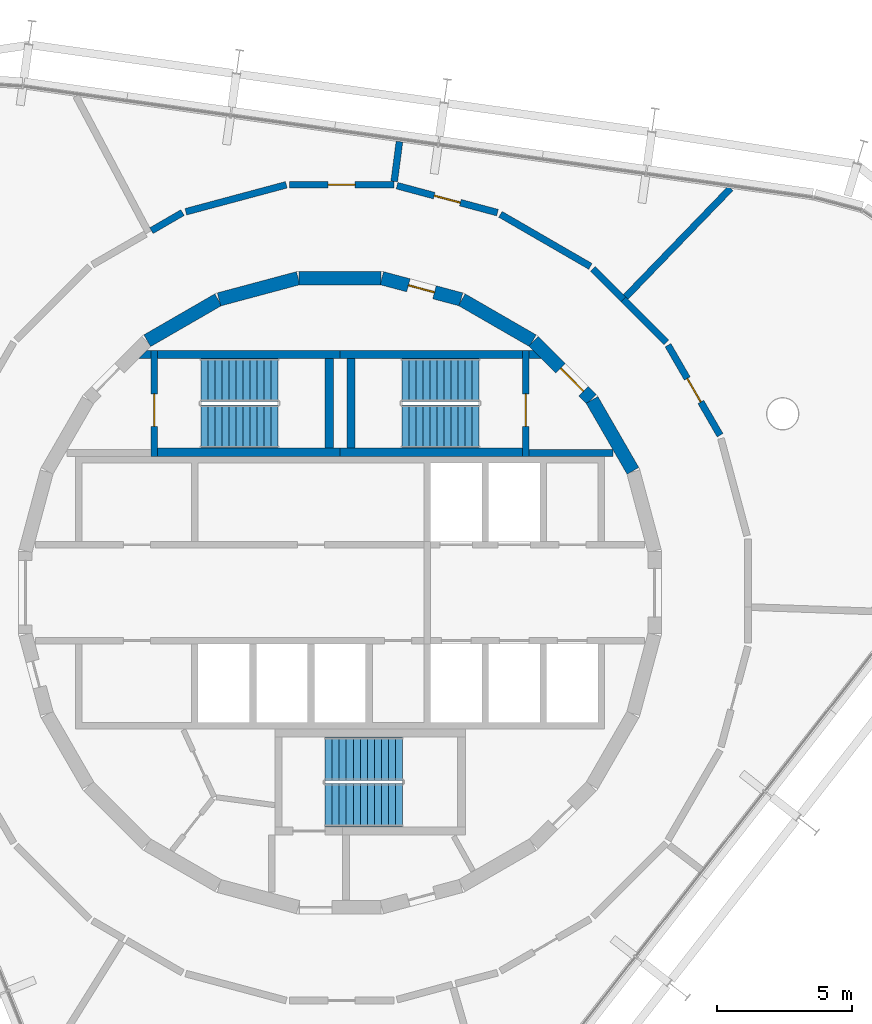
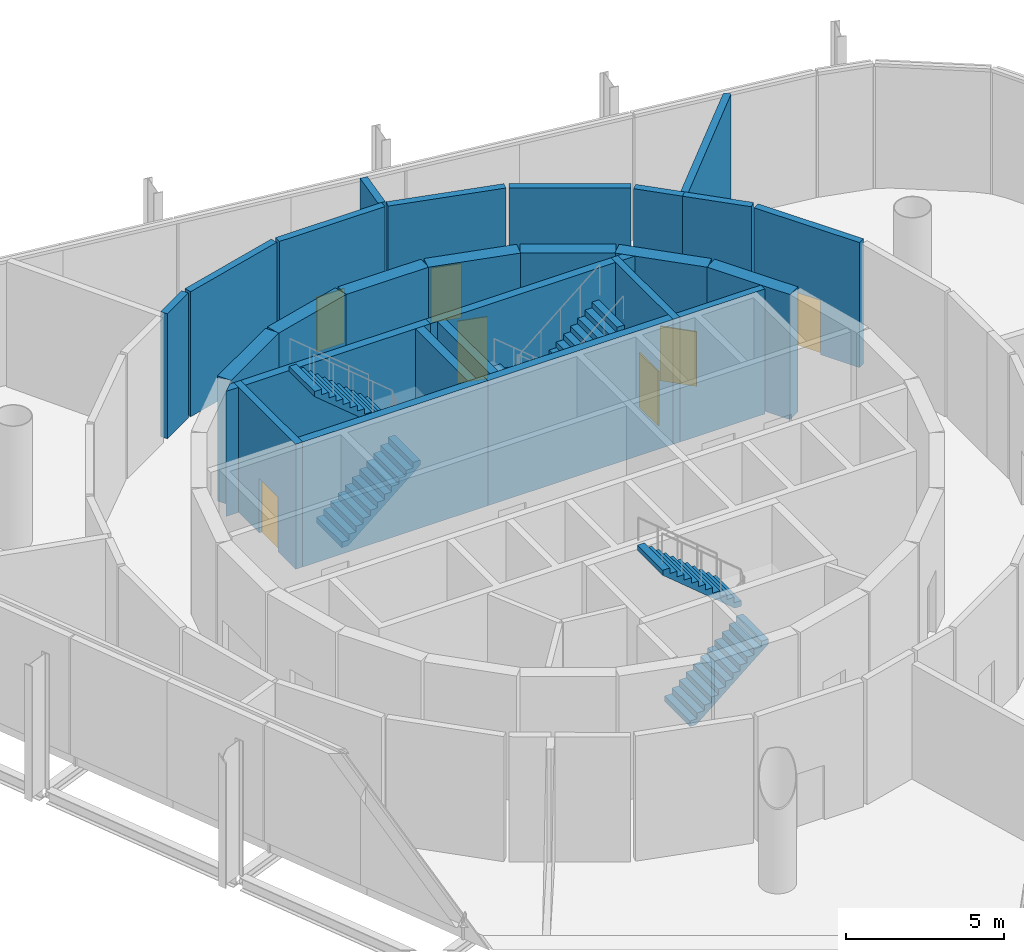
# One storey, part 11 of 12: 28 walls, 7 doors, 6 stair flights, 7 openings, 3 elements without a shape of their own.
"""IFC4 building model written with IfcOpenShell, lengths in metres."""

from ifc_helpers import new_model, si_unit, direction, frame, frame_2d, origin, place, context, subcontext, project, spatial, polyline, rectangle, outline, extrude, material, layer, layer_set, type_object, element, fill, aggregate, save


model = new_model("IFC4")

# Units and contexts
model_context = context("Model", 3, precision=1e-05, world=origin(), true_north=direction((0.0, 1.0)))
body_context = subcontext(model_context, "Body", "Model", "MODEL_VIEW")
ifc_project = project(units=[si_unit("LENGTHUNIT", "METRE"), si_unit("AREAUNIT", "SQUARE_METRE"), si_unit("VOLUMEUNIT", "CUBIC_METRE"), si_unit("PLANEANGLEUNIT", "RADIAN"), si_unit("MASSUNIT", "GRAM", prefix="KILO")], contexts=[model_context])

# Site, building, storey
site_placement = place(None, origin())
site = spatial("IfcSite", under=ifc_project, at=site_placement, CompositionType="ELEMENT")
building_placement = place(site_placement, origin())
building = spatial("IfcBuilding", under=site, at=building_placement, Name="Spindle Arch Residences", CompositionType="ELEMENT")
storey_placement = place(building_placement, frame((0.0, 0.0, 361.0)))
storey = spatial("IfcBuildingStorey", under=building, at=storey_placement, Name="L93", CompositionType="ELEMENT", Elevation=361.0)

# Wall
ifc_material_1 = material(Name="Concrete C50/60", Category="concrete")
ifc_layer_1 = layer(ifc_material_1, 0.5)
ifc_layer_set_1 = layer_set([ifc_layer_1], Name="Core outline wall 500")
wall_type_1 = type_object("IfcWallType", Name="Core outline wall 500", PredefinedType="SHEAR", material=ifc_layer_set_1)
wall_1_placement = place(storey_placement, frame((10.84521484375, 4.510498046875, 0.0), z_axis=(0.0, 0.0, 1.0), x_axis=(-0.500087131594, 0.865975092491, 0.0)))
element("IfcWall", 1, at=wall_1_placement, inside=storey, type_object=wall_type_1, Name="Core outline wall 8", PredefinedType="SHEAR", context=body_context, shape_type="SweptSolid", body=[
    extrude(rectangle(XDim=3.03271484375, YDim=0.5, at=frame_2d((1.516357421875, 0.0))), origin(), (0.0, 0.0, 1.0), 4.820068359375),
])

# Wall, opening, door
wall_2_placement = place(storey_placement, frame((9.30810546875, 7.163818359375, 0.0), z_axis=(0.0, 0.0, 1.0), x_axis=(-0.707106781187, 0.707106781187, 0.0)))
wall_2 = element("IfcWall", 2, at=wall_2_placement, inside=storey, type_object=wall_type_1, Name="Core outline wall 9", PredefinedType="SHEAR", context=body_context, shape_type="SweptSolid", body=[
    extrude(rectangle(XDim=3.032470703125, YDim=0.5, at=frame_2d((1.51611328125, 0.0))), origin(), (0.0, 0.0, 1.0), 4.820068359375),
])
opening_1_placement = place(wall_2_placement, frame((0.416259765625, 0.0, 0.0)))
opening_1 = element("IfcOpeningElement", 3, at=opening_1_placement, cuts=wall_2, Name="Opening L93-AD01", PredefinedType="OPENING", context=body_context, shape_type="SweptSolid", body=[
    extrude(rectangle(XDim=1.199951171875, YDim=2.10009765625, at=frame_2d((0.60009765625, 1.050048828125))), frame((0.0, 0.260009765625, 0.0), z_axis=(0.0, -1.0, 0.0), x_axis=(1.0, 0.0, 0.0)), (0.0, 0.0, 1.0), 0.52001953125),
])
ifc_material_2 = material(Name="Steel, fire-resisting door", Category="steel")
door_type_1 = type_object("IfcDoorType", Name="Stair airlock door 1200x2100", OperationType="SINGLE_SWING_LEFT", PredefinedType="DOOR", material=ifc_material_2)
door_1_placement = place(opening_1_placement, origin())
door_1 = element("IfcDoor", 4, at=door_1_placement, inside=storey, type_object=door_type_1, Name="Stair airlock door L93-AD01", OperationType="SINGLE_SWING_RIGHT", OverallHeight=2.10009765625, OverallWidth=1.199951171875, PredefinedType="DOOR", context=body_context, shape_type="SweptSolid", body=[
    extrude(rectangle(XDim=1.199951171875, YDim=2.10009765625, at=frame_2d((0.60009765625, 1.050048828125))), frame((0.0, 0.02490234375, 0.0), z_axis=(0.0, -1.0, 0.0), x_axis=(1.0, 0.0, 0.0)), (0.0, 0.0, 1.0), 0.050048828125),
])
fill(opening_1, door_1)

# Wall
wall_3_placement = place(storey_placement, frame((7.13671875, 9.32861328125, 0.0), z_axis=(0.0, 0.0, 1.0), x_axis=(-0.865975092491, 0.500087131594, 0.0)))
element("IfcWall", 5, at=wall_3_placement, inside=storey, type_object=wall_type_1, Name="Core outline wall 10", PredefinedType="SHEAR", context=body_context, shape_type="SweptSolid", body=[
    extrude(rectangle(XDim=3.03271484375, YDim=0.5, at=frame_2d((1.516357421875, 0.0))), origin(), (0.0, 0.0, 1.0), 4.820068359375),
])

# Wall, opening, door
wall_4_placement = place(storey_placement, frame((4.479248046875, 10.858154296875, 0.0), z_axis=(0.0, 0.0, 1.0), x_axis=(-0.965948410781, 0.258734743916, 0.0)))
wall_4 = element("IfcWall", 6, at=wall_4_placement, inside=storey, type_object=wall_type_1, Name="Core outline wall 11", PredefinedType="SHEAR", context=body_context, shape_type="SweptSolid", body=[
    extrude(rectangle(XDim=3.03271484375, YDim=0.5, at=frame_2d((1.516357421875, 0.0))), origin(), (0.0, 0.0, 1.0), 4.820068359375),
])
opening_2_placement = place(wall_4_placement, frame((1.01611328125, 0.0, 0.0)))
opening_2 = element("IfcOpeningElement", 7, at=opening_2_placement, cuts=wall_4, Name="Opening L93-PD11", PredefinedType="OPENING", context=body_context, shape_type="SweptSolid", body=[
    extrude(rectangle(XDim=1.0, YDim=2.39990234375, at=frame_2d((0.5, 1.199951171875))), frame((0.0, 0.260009765625, 0.0), z_axis=(0.0, -1.0, 0.0), x_axis=(1.0, 0.0, 0.0)), (0.0, 0.0, 1.0), 0.52001953125),
])
ifc_material_3 = material(Name="Steel, fire-resisting door", Category="steel")
door_type_2 = type_object("IfcDoorType", Name="Plant room door 1000x2400", OperationType="SINGLE_SWING_LEFT", PredefinedType="DOOR", material=ifc_material_3)
door_2_placement = place(opening_2_placement, origin())
door_2 = element("IfcDoor", 8, at=door_2_placement, inside=storey, type_object=door_type_2, Name="Plant room door L93-PD11", OperationType="SINGLE_SWING_RIGHT", OverallHeight=2.39990234375, OverallWidth=1.0, PredefinedType="DOOR", context=body_context, shape_type="SweptSolid", body=[
    extrude(rectangle(XDim=1.0, YDim=2.39990234375, at=frame_2d((0.5, 1.199951171875))), frame((0.0, 0.02490234375, 0.0), z_axis=(0.0, -1.0, 0.0), x_axis=(1.0, 0.0, 0.0)), (0.0, 0.0, 1.0), 0.050048828125),
])
fill(opening_2, door_2)

# Walls
for number, where, z_axis, x_axis, name in (
    (9, (1.516357421875, 11.647216796875, 0.0), (0.0, 0.0, 1.0), (-1.0, 0.0, 0.0), "Core outline wall 12"),
    (10, (-1.5498046875, 11.642822265625, 0.0), (0.0, 0.0, 1.0), (-0.965948410781, -0.258734743916, 0.0), "Core outline wall 13"),
    (11, (-4.510498046875, 10.84521484375, 0.0), (0.0, 0.0, 1.0), (-0.865975092491, -0.500087131594, 0.0), "Core outline wall 14"),
):
    element("IfcWall", number, at=place(storey_placement, frame(where, z_axis=z_axis, x_axis=x_axis)), inside=storey, type_object=wall_type_1, Name=name, PredefinedType="SHEAR", context=body_context, shape_type="SweptSolid", body=[
        extrude(rectangle(XDim=3.03271484375, YDim=0.5, at=frame_2d((1.516357421875, 0.0))), origin(), (0.0, 0.0, 1.0), 4.820068359375),
    ])
ifc_material_4 = material(Name="Concrete C25/30 wall", Category="concrete")
ifc_layer_2 = layer(ifc_material_4, 0.25)
ifc_layer_set_2 = layer_set([ifc_layer_2], Name="Partition EI 120 250 plant")
wall_type_2 = type_object("IfcWallType", Name="Partition EI 120 250 plant", PredefinedType="PARTITIONING", material=ifc_layer_set_2)
wall_5_placement = place(storey_placement, frame((-5.830078125, 14.070068359375, 0.0), z_axis=(0.0, 0.0, 1.0), x_axis=(-0.865225325987, -0.501383221968, 0.0)))
element("IfcWall", 12, at=wall_5_placement, inside=storey, type_object=wall_type_2, Name="L93-W017", PredefinedType="PARTITIONING", context=body_context, shape_type="SweptSolid", body=[
    extrude(rectangle(XDim=1.331298828125, YDim=0.25, at=frame_2d((0.66552734375, 0.0))), origin(), (0.0, 0.0, 1.0), 4.820068359375),
])
wall_6_placement = place(storey_placement, frame((-1.989990234375, 15.10009765625, 0.0), z_axis=(0.0, 0.0, 1.0), x_axis=(-0.965845546311, -0.259118468411, 0.0)))
element("IfcWall", 13, at=wall_6_placement, inside=storey, type_object=wall_type_2, Name="L93-W019", PredefinedType="PARTITIONING", context=body_context, shape_type="SweptSolid", body=[
    extrude(rectangle(XDim=3.850830078125, YDim=0.25, at=frame_2d((1.92529296875, 0.0))), origin(), (0.0, 0.0, 1.0), 4.820068359375),
])

# Wall, opening, door
wall_7_placement = place(storey_placement, frame((1.989990234375, 15.10009765625, 0.0), z_axis=(0.0, 0.0, 1.0), x_axis=(-1.0, 0.0, 0.0)))
wall_7 = element("IfcWall", 14, at=wall_7_placement, inside=storey, type_object=wall_type_2, Name="L93-W021", PredefinedType="PARTITIONING", context=body_context, shape_type="SweptSolid", body=[
    extrude(rectangle(XDim=3.85498046875, YDim=0.25, at=frame_2d((1.927490234375, 0.0))), origin(), (0.0, 0.0, 1.0), 4.820068359375),
])
opening_3_placement = place(wall_7_placement, frame((1.427490234375, 0.0, 0.0)))
opening_3 = element("IfcOpeningElement", 15, at=opening_3_placement, cuts=wall_7, Name="Opening L93-D09", PredefinedType="OPENING", context=body_context, shape_type="SweptSolid", body=[
    extrude(rectangle(XDim=1.0, YDim=2.10009765625, at=frame_2d((0.5, 1.050048828125))), frame((0.0, 0.135009765625, 0.0), z_axis=(0.0, -1.0, 0.0), x_axis=(1.0, 0.0, 0.0)), (0.0, 0.0, 1.0), 0.27001953125),
])
ifc_material_5 = material(Name="Steel door leaf, painted", Category="steel")
door_type_3 = type_object("IfcDoorType", Name="Door 1000x2100 EI 60", OperationType="SINGLE_SWING_LEFT", PredefinedType="DOOR", material=ifc_material_5)
door_3_placement = place(opening_3_placement, origin())
door_3 = element("IfcDoor", 16, at=door_3_placement, inside=storey, type_object=door_type_3, Name="L93-D09", OperationType="SINGLE_SWING_LEFT", OverallHeight=2.10009765625, OverallWidth=1.0, PredefinedType="DOOR", context=body_context, shape_type="SweptSolid", body=[
    extrude(rectangle(XDim=1.0, YDim=2.10009765625, at=frame_2d((0.5, 1.050048828125))), frame((0.0, 0.02490234375, 0.0), z_axis=(0.0, -1.0, 0.0), x_axis=(1.0, 0.0, 0.0)), (0.0, 0.0, 1.0), 0.050048828125),
])
fill(opening_3, door_3)

# Wall
wall_8_placement = place(storey_placement, frame((2.00634765625, 15.223876953125, 0.0), z_axis=(0.0, 0.0, 1.0), x_axis=(0.13004725163, 0.991507797419, 0.0)))
element("IfcWall", 17, at=wall_8_placement, inside=storey, type_object=wall_type_2, Name="L93-W022", PredefinedType="PARTITIONING", context=body_context, shape_type="SweptSolid", body=[
    extrude(rectangle(XDim=1.48876953125, YDim=0.25, at=frame_2d((0.744384765625, 0.0))), origin(), (0.0, 0.0, 1.0), 4.820068359375),
])

# Wall, opening, door
wall_9_placement = place(storey_placement, frame((5.830078125, 14.070068359375, 0.0), z_axis=(0.0, 0.0, 1.0), x_axis=(-0.965861411942, 0.259059323171, 0.0)))
wall_9 = element("IfcWall", 18, at=wall_9_placement, inside=storey, type_object=wall_type_2, Name="L93-W026", PredefinedType="PARTITIONING", context=body_context, shape_type="SweptSolid", body=[
    extrude(rectangle(XDim=3.8505859375, YDim=0.25, at=frame_2d((1.92529296875, 0.0))), origin(), (0.0, 0.0, 1.0), 4.820068359375),
])
opening_4_placement = place(wall_9_placement, frame((1.42529296875, 0.0, 0.0)))
opening_4 = element("IfcOpeningElement", 19, at=opening_4_placement, cuts=wall_9, Name="Opening L93-D08", PredefinedType="OPENING", context=body_context, shape_type="SweptSolid", body=[
    extrude(rectangle(XDim=1.0, YDim=2.10009765625, at=frame_2d((0.5, 1.050048828125))), frame((0.0, 0.135009765625, 0.0), z_axis=(0.0, -1.0, 0.0), x_axis=(1.0, 0.0, 0.0)), (0.0, 0.0, 1.0), 0.27001953125),
])
door_4_placement = place(opening_4_placement, origin())
door_4 = element("IfcDoor", 20, at=door_4_placement, inside=storey, type_object=door_type_3, Name="L93-D08", OperationType="SINGLE_SWING_LEFT", OverallHeight=2.10009765625, OverallWidth=1.0, PredefinedType="DOOR", context=body_context, shape_type="SweptSolid", body=[
    extrude(rectangle(XDim=1.0, YDim=2.10009765625, at=frame_2d((0.5, 1.050048828125))), frame((0.0, 0.02490234375, 0.0), z_axis=(0.0, -1.0, 0.0), x_axis=(1.0, 0.0, 0.0)), (0.0, 0.0, 1.0), 0.050048828125),
])
fill(opening_4, door_4)

# Walls
wall_10_placement = place(storey_placement, frame((9.27001953125, 12.080078125, 0.0), z_axis=(0.0, 0.0, 1.0), x_axis=(-0.865615852585, 0.500708693508, 0.0)))
element("IfcWall", 21, at=wall_10_placement, inside=storey, type_object=wall_type_2, Name="L93-W028", PredefinedType="PARTITIONING", context=body_context, shape_type="SweptSolid", body=[
    extrude(rectangle(XDim=3.84912109375, YDim=0.25, at=frame_2d((1.924560546875, 0.0))), origin(), (0.0, 0.0, 1.0), 4.820068359375),
])
wall_11_placement = place(storey_placement, frame((10.489990234375, 10.860107421875, 0.0), z_axis=(0.0, 0.0, 1.0), x_axis=(-0.707106781187, 0.707106781187, 0.0)))
element("IfcWall", 22, at=wall_11_placement, inside=storey, type_object=wall_type_2, Name="L93-W029", PredefinedType="PARTITIONING", context=body_context, shape_type="SweptSolid", body=[
    extrude(rectangle(XDim=1.600341796875, YDim=0.25, at=frame_2d((0.80029296875, 0.0))), origin(), (0.0, 0.0, 1.0), 4.820068359375),
])
wall_12_placement = place(storey_placement, frame((10.576904296875, 10.949951171875, 0.0), z_axis=(0.0, 0.0, 1.0), x_axis=(0.694748067219, 0.719253170376, 0.0)))
element("IfcWall", 23, at=wall_12_placement, inside=storey, type_object=wall_type_2, Name="L93-W030", PredefinedType="PARTITIONING", context=body_context, shape_type="SweptSolid", body=[
    extrude(rectangle(XDim=5.589111328125, YDim=0.25, at=frame_2d((2.79443359375, 0.0))), origin(), (0.0, 0.0, 1.0), 4.820068359375),
])
wall_13_placement = place(storey_placement, frame((12.080078125, 9.27001953125, 0.0), z_axis=(0.0, 0.0, 1.0), x_axis=(-0.707106781187, 0.707106781187, 0.0)))
element("IfcWall", 24, at=wall_13_placement, inside=storey, type_object=wall_type_2, Name="L93-W033", PredefinedType="PARTITIONING", context=body_context, shape_type="SweptSolid", body=[
    extrude(rectangle(XDim=2.248779296875, YDim=0.25, at=frame_2d((1.12451171875, 0.0))), origin(), (0.0, 0.0, 1.0), 4.820068359375),
])

# Wall, opening, door
wall_14_placement = place(storey_placement, frame((14.070068359375, 5.830078125, 0.0), z_axis=(0.0, 0.0, 1.0), x_axis=(-0.500756218026, 0.865588360659, 0.0)))
wall_14 = element("IfcWall", 25, at=wall_14_placement, inside=storey, type_object=wall_type_2, Name="L93-W035", PredefinedType="PARTITIONING", context=body_context, shape_type="SweptSolid", body=[
    extrude(rectangle(XDim=3.84912109375, YDim=0.25, at=frame_2d((1.924560546875, 0.0))), origin(), (0.0, 0.0, 1.0), 4.820068359375),
])
opening_5_placement = place(wall_14_placement, frame((1.424560546875, 0.0, 0.0)))
opening_5 = element("IfcOpeningElement", 26, at=opening_5_placement, cuts=wall_14, Name="Opening L93-D06", PredefinedType="OPENING", context=body_context, shape_type="SweptSolid", body=[
    extrude(rectangle(XDim=1.0, YDim=2.10009765625, at=frame_2d((0.5, 1.050048828125))), frame((0.0, 0.135009765625, 0.0), z_axis=(0.0, -1.0, 0.0), x_axis=(1.0, 0.0, 0.0)), (0.0, 0.0, 1.0), 0.27001953125),
])
door_5_placement = place(opening_5_placement, origin())
door_5 = element("IfcDoor", 27, at=door_5_placement, inside=storey, type_object=door_type_3, Name="L93-D06", OperationType="SINGLE_SWING_LEFT", OverallHeight=2.10009765625, OverallWidth=1.0, PredefinedType="DOOR", context=body_context, shape_type="SweptSolid", body=[
    extrude(rectangle(XDim=1.0, YDim=2.10009765625, at=frame_2d((0.5, 1.050048828125))), frame((0.0, 0.02490234375, 0.0), z_axis=(0.0, -1.0, 0.0), x_axis=(1.0, 0.0, 0.0)), (0.0, 0.0, 1.0), 0.050048828125),
])
fill(opening_5, door_5)

# Walls
ifc_material_6 = material(Name="Concrete C40/50", Category="concrete")
ifc_layer_3 = layer(ifc_material_6, 0.25)
ifc_layer_set_3 = layer_set([ifc_layer_3], Name="Stair airlock wall 250")
wall_type_3 = type_object("IfcWallType", Name="Stair airlock wall 250", PredefinedType="SHEAR", material=ifc_layer_set_3)
wall_15_placement = place(storey_placement, frame((7.0, 5.175048828125, 0.0), z_axis=(0.0, 0.0, 1.0), x_axis=(1.0, 0.0, 0.0)))
element("IfcWall", 28, at=wall_15_placement, inside=storey, type_object=wall_type_3, Name="Stair ST-1 airlock wall S", PredefinedType="SHEAR", context=body_context, shape_type="SweptSolid", body=[
    extrude(rectangle(XDim=3.10009765625, YDim=0.25, at=frame_2d((1.550048828125, 0.0))), origin(), (0.0, 0.0, 1.0), 4.820068359375),
])
ifc_material_7 = material(Name="Concrete C40/50", Category="concrete")
wall_type_4 = type_object("IfcWallType", Name="Stair airlock wall profile", PredefinedType="SHEAR", material=ifc_material_7)
wall_16_placement = place(storey_placement, origin())
element("IfcWall", 29, at=wall_16_placement, inside=storey, type_object=wall_type_4, Name="Stair ST-1 airlock wall N", PredefinedType="SHEAR", context=body_context, shape_type="SweptSolid", body=[
    extrude(outline(polyline([(7.4482421875, 8.669921875), (7.0, 8.669921875), (7.0, 8.969970703125), (7.148193359375, 8.969970703125), (7.4482421875, 8.669921875)])), origin(), (0.0, 0.0, 1.0), 4.820068359375),
])
wall_17_placement = place(storey_placement, origin())
element("IfcWall", 30, at=wall_17_placement, inside=storey, type_object=wall_type_4, Name="Stair ST-2 airlock wall N", PredefinedType="SHEAR", context=body_context, shape_type="SweptSolid", body=[
    extrude(outline(polyline([(-7.148193359375, 8.969970703125), (-7.0, 8.969970703125), (-7.0, 8.669921875), (-7.4482421875, 8.669921875), (-7.148193359375, 8.969970703125)])), origin(), (0.0, 0.0, 1.0), 4.820068359375),
])

# Wall, opening, door
ifc_material_8 = material(Name="Concrete C50/60", Category="concrete")
ifc_layer_4 = layer(ifc_material_8, 0.25)
ifc_layer_set_4 = layer_set([ifc_layer_4], Name="Stair enclosure wall 250")
wall_type_5 = type_object("IfcWallType", Name="Stair enclosure wall 250", PredefinedType="SHEAR", material=ifc_layer_set_4)
wall_18_placement = place(storey_placement, frame((6.875, 5.050048828125, 0.0), z_axis=(0.0, 0.0, 1.0), x_axis=(0.0, 1.0, 0.0)))
wall_18 = element("IfcWall", 31, at=wall_18_placement, inside=storey, type_object=wall_type_5, Name="Stair ST-1 door wall", PredefinedType="SHEAR", context=body_context, shape_type="SweptSolid", body=[
    extrude(rectangle(XDim=3.919921875, YDim=0.25, at=frame_2d((1.9599609375, 0.0))), origin(), (0.0, 0.0, 1.0), 4.820068359375),
])
opening_6_placement = place(wall_18_placement, frame((1.110107421875, 0.0, 0.0)))
opening_6 = element("IfcOpeningElement", 32, at=opening_6_placement, cuts=wall_18, Name="Opening L93-SD01", PredefinedType="OPENING", context=body_context, shape_type="SweptSolid", body=[
    extrude(rectangle(XDim=1.199951171875, YDim=2.10009765625, at=frame_2d((0.60009765625, 1.050048828125))), frame((0.0, 0.135009765625, 0.0), z_axis=(0.0, -1.0, 0.0), x_axis=(1.0, 0.0, 0.0)), (0.0, 0.0, 1.0), 0.27001953125),
])
ifc_material_9 = material(Name="Steel, fire-resisting door", Category="steel")
door_type_4 = type_object("IfcDoorType", Name="Stair door 1200x2100", OperationType="SINGLE_SWING_RIGHT", PredefinedType="DOOR", material=ifc_material_9)
door_6_placement = place(opening_6_placement, origin())
door_6 = element("IfcDoor", 33, at=door_6_placement, inside=storey, type_object=door_type_4, Name="Stair door L93-SD01", OperationType="SINGLE_SWING_LEFT", OverallHeight=2.10009765625, OverallWidth=1.199951171875, PredefinedType="DOOR", context=body_context, shape_type="SweptSolid", body=[
    extrude(rectangle(XDim=1.199951171875, YDim=2.10009765625, at=frame_2d((0.60009765625, 1.050048828125))), frame((0.0, 0.02490234375, 0.0), z_axis=(0.0, -1.0, 0.0), x_axis=(1.0, 0.0, 0.0)), (0.0, 0.0, 1.0), 0.050048828125),
])
fill(opening_6, door_6)

wall_19_placement = place(storey_placement, frame((-6.875, 8.969970703125, 0.0), z_axis=(0.0, 0.0, 1.0), x_axis=(0.0, -1.0, 0.0)))
wall_19 = element("IfcWall", 34, at=wall_19_placement, inside=storey, type_object=wall_type_5, Name="Stair ST-2 door wall", PredefinedType="SHEAR", context=body_context, shape_type="SweptSolid", body=[
    extrude(rectangle(XDim=3.919921875, YDim=0.25, at=frame_2d((1.9599609375, 0.0))), origin(), (0.0, 0.0, 1.0), 4.820068359375),
])
opening_7_placement = place(wall_19_placement, frame((1.610107421875, 0.0, 0.0)))
opening_7 = element("IfcOpeningElement", 35, at=opening_7_placement, cuts=wall_19, Name="Opening L93-SD02", PredefinedType="OPENING", context=body_context, shape_type="SweptSolid", body=[
    extrude(rectangle(XDim=1.199951171875, YDim=2.10009765625, at=frame_2d((0.60009765625, 1.050048828125))), frame((0.0, 0.135009765625, 0.0), z_axis=(0.0, -1.0, 0.0), x_axis=(1.0, 0.0, 0.0)), (0.0, 0.0, 1.0), 0.27001953125),
])
door_7_placement = place(opening_7_placement, origin())
door_7 = element("IfcDoor", 36, at=door_7_placement, inside=storey, type_object=door_type_4, Name="Stair door L93-SD02", OperationType="SINGLE_SWING_LEFT", OverallHeight=2.10009765625, OverallWidth=1.199951171875, PredefinedType="DOOR", context=body_context, shape_type="SweptSolid", body=[
    extrude(rectangle(XDim=1.199951171875, YDim=2.10009765625, at=frame_2d((0.60009765625, 1.050048828125))), frame((0.0, 0.02490234375, 0.0), z_axis=(0.0, -1.0, 0.0), x_axis=(1.0, 0.0, 0.0)), (0.0, 0.0, 1.0), 0.050048828125),
])
fill(opening_7, door_7)

# Walls
ifc_material_10 = material(Name="Concrete C50/60", Category="concrete")
ifc_layer_5 = layer(ifc_material_10, 0.300048828125)
ifc_layer_set_5 = layer_set([ifc_layer_5], Name="Stair enclosure wall 300")
wall_type_6 = type_object("IfcWallType", Name="Stair enclosure wall 300", PredefinedType="SHEAR", material=ifc_layer_set_5)
for number, where, z_axis, x_axis, name in (
    (37, (0.0, 5.199951171875, 0.0), (0.0, 0.0, 1.0), (1.0, 0.0, 0.0), "Stair ST-1 enclosure wall S"),
    (38, (0.0, 8.820068359375, 0.0), (0.0, 0.0, 1.0), (1.0, 0.0, 0.0), "Stair ST-1 enclosure wall N"),
):
    element("IfcWall", number, at=place(storey_placement, frame(where, z_axis=z_axis, x_axis=x_axis)), inside=storey, type_object=wall_type_6, Name=name, PredefinedType="SHEAR", context=body_context, shape_type="SweptSolid", body=[
        extrude(rectangle(XDim=6.75, YDim=0.300048828125, at=frame_2d((3.375, 0.0))), origin(), (0.0, 0.0, 1.0), 4.820068359375),
    ])
wall_20_placement = place(storey_placement, frame((0.39990234375, 5.35009765625, 0.0), z_axis=(0.0, 0.0, 1.0), x_axis=(0.0, 1.0, 0.0)))
element("IfcWall", 39, at=wall_20_placement, inside=storey, type_object=wall_type_6, Name="Stair ST-1 enclosure wall F", PredefinedType="SHEAR", context=body_context, shape_type="SweptSolid", body=[
    extrude(rectangle(XDim=3.31982421875, YDim=0.300048828125, at=frame_2d((1.659912109375, 0.0))), origin(), (0.0, 0.0, 1.0), 4.820068359375),
])
for number, where, z_axis, x_axis, name in (
    (40, (-6.75, 5.199951171875, 0.0), (0.0, 0.0, 1.0), (1.0, 0.0, 0.0), "Stair ST-2 enclosure wall S"),
    (41, (-6.75, 8.820068359375, 0.0), (0.0, 0.0, 1.0), (1.0, 0.0, 0.0), "Stair ST-2 enclosure wall N"),
):
    element("IfcWall", number, at=place(storey_placement, frame(where, z_axis=z_axis, x_axis=x_axis)), inside=storey, type_object=wall_type_6, Name=name, PredefinedType="SHEAR", context=body_context, shape_type="SweptSolid", body=[
        extrude(rectangle(XDim=6.75, YDim=0.300048828125, at=frame_2d((3.375, 0.0))), origin(), (0.0, 0.0, 1.0), 4.820068359375),
    ])
wall_21_placement = place(storey_placement, frame((-0.39990234375, 5.35009765625, 0.0), z_axis=(0.0, 0.0, 1.0), x_axis=(0.0, 1.0, 0.0)))
element("IfcWall", 42, at=wall_21_placement, inside=storey, type_object=wall_type_6, Name="Stair ST-2 enclosure wall F", PredefinedType="SHEAR", context=body_context, shape_type="SweptSolid", body=[
    extrude(rectangle(XDim=3.31982421875, YDim=0.300048828125, at=frame_2d((1.659912109375, 0.0))), origin(), (0.0, 0.0, 1.0), 4.820068359375),
])

# Stair, stair flights
ifc_material_11 = material(Name="Concrete C50/60", Category="concrete")
stair_type = type_object("IfcStairType", Name="Exit stair 24 risers", PredefinedType="HALF_TURN_STAIR", material=ifc_material_11)
stair_1_placement = place(storey_placement, origin())
stair_1 = element("IfcStair", 43, at=stair_1_placement, inside=storey, type_object=stair_type, Name="L93 Exit stair ST1", PredefinedType="HALF_TURN_STAIR")
ifc_material_12 = material(Name="Concrete C50/60", Category="concrete")
stair_flight_type = type_object("IfcStairFlightType", Name="Exit stair flight", PredefinedType="STRAIGHT", material=ifc_material_12)
stair_flight_1_placement = place(storey_placement, frame((5.14990234375, 7.8701171875, 0.0), z_axis=(0.0, 0.0, 1.0), x_axis=(-1.0, 0.0, 0.0)))
stair_flight_1 = element("IfcStairFlight", 44, at=stair_flight_1_placement, type_object=stair_flight_type, Name="ST1 flight 1", NumberOfRisers=12, NumberOfTreads=11, PredefinedType="STRAIGHT", RiserHeight=0.216666667, TreadLength=0.26, context=body_context, shape_type="SweptSolid", body=[
    extrude(outline(polyline([(0.0, 0.0), (0.0, 0.216552734375), (0.260009765625, 0.216552734375), (0.260009765625, 0.433349609375), (0.52001953125, 0.433349609375), (0.52001953125, 0.64990234375), (0.780029296875, 0.64990234375), (0.780029296875, 0.86669921875), (1.0400390625, 0.86669921875), (1.0400390625, 1.083251953125), (1.300048828125, 1.083251953125), (1.300048828125, 1.300048828125), (1.56005859375, 1.300048828125), (1.56005859375, 1.5166015625), (1.820068359375, 1.5166015625), (1.820068359375, 1.7333984375), (2.080078125, 1.7333984375), (2.080078125, 1.949951171875), (2.340087890625, 1.949951171875), (2.340087890625, 2.166748046875), (2.60009765625, 2.166748046875), (2.60009765625, 2.38330078125), (2.860107421875, 2.38330078125), (2.860107421875, 2.60009765625), (2.860107421875, 2.188232421875), (0.234130859375, 0.0), (0.0, 0.0)])), frame((0.0, 0.800048828125, 0.0), z_axis=(0.0, -1.0, 0.0), x_axis=(1.0, 0.0, 0.0)), (0.0, 0.0, 1.0), 1.60009765625),
])
stair_flight_2_placement = place(storey_placement, frame((2.2900390625, 6.14990234375, 2.60009765625), z_axis=(0.0, 0.0, 1.0), x_axis=(1.0, 0.0, 0.0)))
stair_flight_2 = element("IfcStairFlight", 45, at=stair_flight_2_placement, type_object=stair_flight_type, Name="ST1 flight 2", NumberOfRisers=12, NumberOfTreads=11, PredefinedType="STRAIGHT", RiserHeight=0.216666667, TreadLength=0.26, context=body_context, shape_type="SweptSolid", body=[
    extrude(outline(polyline([(0.0, 0.0), (0.0, 0.216552734375), (0.260009765625, 0.216552734375), (0.260009765625, 0.433349609375), (0.52001953125, 0.433349609375), (0.52001953125, 0.64990234375), (0.780029296875, 0.64990234375), (0.780029296875, 0.86669921875), (1.0400390625, 0.86669921875), (1.0400390625, 1.083251953125), (1.300048828125, 1.083251953125), (1.300048828125, 1.300048828125), (1.56005859375, 1.300048828125), (1.56005859375, 1.5166015625), (1.820068359375, 1.5166015625), (1.820068359375, 1.7333984375), (2.080078125, 1.7333984375), (2.080078125, 1.949951171875), (2.340087890625, 1.949951171875), (2.340087890625, 2.166748046875), (2.60009765625, 2.166748046875), (2.60009765625, 2.38330078125), (2.860107421875, 2.38330078125), (2.860107421875, 2.60009765625), (2.860107421875, 2.188232421875), (0.234130859375, 0.0), (0.0, 0.0)])), frame((0.0, 0.800048828125, 0.0), z_axis=(0.0, -1.0, 0.0), x_axis=(1.0, 0.0, 0.0)), (0.0, 0.0, 1.0), 1.60009765625),
])
aggregate(stair_1, [stair_flight_1, stair_flight_2])

stair_2_placement = place(storey_placement, origin())
stair_2 = element("IfcStair", 46, at=stair_2_placement, inside=storey, type_object=stair_type, Name="L93 Exit stair ST2", PredefinedType="HALF_TURN_STAIR")
stair_flight_3_placement = place(storey_placement, frame((-5.14990234375, 6.14990234375, 0.0), z_axis=(0.0, 0.0, 1.0), x_axis=(1.0, 0.0, 0.0)))
stair_flight_3 = element("IfcStairFlight", 47, at=stair_flight_3_placement, type_object=stair_flight_type, Name="ST2 flight 1", NumberOfRisers=12, NumberOfTreads=11, PredefinedType="STRAIGHT", RiserHeight=0.216666667, TreadLength=0.26, context=body_context, shape_type="SweptSolid", body=[
    extrude(outline(polyline([(0.0, 0.0), (0.0, 0.216552734375), (0.260009765625, 0.216552734375), (0.260009765625, 0.433349609375), (0.52001953125, 0.433349609375), (0.52001953125, 0.64990234375), (0.780029296875, 0.64990234375), (0.780029296875, 0.86669921875), (1.0400390625, 0.86669921875), (1.0400390625, 1.083251953125), (1.300048828125, 1.083251953125), (1.300048828125, 1.300048828125), (1.56005859375, 1.300048828125), (1.56005859375, 1.5166015625), (1.820068359375, 1.5166015625), (1.820068359375, 1.7333984375), (2.080078125, 1.7333984375), (2.080078125, 1.949951171875), (2.340087890625, 1.949951171875), (2.340087890625, 2.166748046875), (2.60009765625, 2.166748046875), (2.60009765625, 2.38330078125), (2.860107421875, 2.38330078125), (2.860107421875, 2.60009765625), (2.860107421875, 2.188232421875), (0.234130859375, 0.0), (0.0, 0.0)])), frame((0.0, 0.800048828125, 0.0), z_axis=(0.0, -1.0, 0.0), x_axis=(1.0, 0.0, 0.0)), (0.0, 0.0, 1.0), 1.60009765625),
])
stair_flight_4_placement = place(storey_placement, frame((-2.2900390625, 7.8701171875, 2.60009765625), z_axis=(0.0, 0.0, 1.0), x_axis=(-1.0, 0.0, 0.0)))
stair_flight_4 = element("IfcStairFlight", 48, at=stair_flight_4_placement, type_object=stair_flight_type, Name="ST2 flight 2", NumberOfRisers=12, NumberOfTreads=11, PredefinedType="STRAIGHT", RiserHeight=0.216666667, TreadLength=0.26, context=body_context, shape_type="SweptSolid", body=[
    extrude(outline(polyline([(0.0, 0.0), (0.0, 0.216552734375), (0.260009765625, 0.216552734375), (0.260009765625, 0.433349609375), (0.52001953125, 0.433349609375), (0.52001953125, 0.64990234375), (0.780029296875, 0.64990234375), (0.780029296875, 0.86669921875), (1.0400390625, 0.86669921875), (1.0400390625, 1.083251953125), (1.300048828125, 1.083251953125), (1.300048828125, 1.300048828125), (1.56005859375, 1.300048828125), (1.56005859375, 1.5166015625), (1.820068359375, 1.5166015625), (1.820068359375, 1.7333984375), (2.080078125, 1.7333984375), (2.080078125, 1.949951171875), (2.340087890625, 1.949951171875), (2.340087890625, 2.166748046875), (2.60009765625, 2.166748046875), (2.60009765625, 2.38330078125), (2.860107421875, 2.38330078125), (2.860107421875, 2.60009765625), (2.860107421875, 2.188232421875), (0.234130859375, 0.0), (0.0, 0.0)])), frame((0.0, 0.800048828125, 0.0), z_axis=(0.0, -1.0, 0.0), x_axis=(1.0, 0.0, 0.0)), (0.0, 0.0, 1.0), 1.60009765625),
])
aggregate(stair_2, [stair_flight_3, stair_flight_4])

stair_3_placement = place(storey_placement, origin())
stair_3 = element("IfcStair", 49, at=stair_3_placement, inside=storey, type_object=stair_type, Name="L93 Exit stair ST3", PredefinedType="HALF_TURN_STAIR")
stair_flight_5_placement = place(storey_placement, frame((-0.550048828125, -7.8701171875, 0.0), z_axis=(0.0, 0.0, 1.0), x_axis=(1.0, 0.0, 0.0)))
stair_flight_5 = element("IfcStairFlight", 50, at=stair_flight_5_placement, type_object=stair_flight_type, Name="ST3 flight 1", NumberOfRisers=12, NumberOfTreads=11, PredefinedType="STRAIGHT", RiserHeight=0.216666667, TreadLength=0.26, context=body_context, shape_type="SweptSolid", body=[
    extrude(outline(polyline([(0.0, 0.0), (0.0, 0.216552734375), (0.260009765625, 0.216552734375), (0.260009765625, 0.433349609375), (0.52001953125, 0.433349609375), (0.52001953125, 0.64990234375), (0.780029296875, 0.64990234375), (0.780029296875, 0.86669921875), (1.0400390625, 0.86669921875), (1.0400390625, 1.083251953125), (1.300048828125, 1.083251953125), (1.300048828125, 1.300048828125), (1.56005859375, 1.300048828125), (1.56005859375, 1.5166015625), (1.820068359375, 1.5166015625), (1.820068359375, 1.7333984375), (2.080078125, 1.7333984375), (2.080078125, 1.949951171875), (2.340087890625, 1.949951171875), (2.340087890625, 2.166748046875), (2.60009765625, 2.166748046875), (2.60009765625, 2.38330078125), (2.860107421875, 2.38330078125), (2.860107421875, 2.60009765625), (2.860107421875, 2.188232421875), (0.234130859375, 0.0), (0.0, 0.0)])), frame((0.0, 0.800048828125, 0.0), z_axis=(0.0, -1.0, 0.0), x_axis=(1.0, 0.0, 0.0)), (0.0, 0.0, 1.0), 1.60009765625),
])
stair_flight_6_placement = place(storey_placement, frame((2.31005859375, -6.14990234375, 2.60009765625), z_axis=(0.0, 0.0, 1.0), x_axis=(-1.0, 0.0, 0.0)))
stair_flight_6 = element("IfcStairFlight", 51, at=stair_flight_6_placement, type_object=stair_flight_type, Name="ST3 flight 2", NumberOfRisers=12, NumberOfTreads=11, PredefinedType="STRAIGHT", RiserHeight=0.216666667, TreadLength=0.26, context=body_context, shape_type="SweptSolid", body=[
    extrude(outline(polyline([(0.0, 0.0), (0.0, 0.216552734375), (0.260009765625, 0.216552734375), (0.260009765625, 0.433349609375), (0.52001953125, 0.433349609375), (0.52001953125, 0.64990234375), (0.780029296875, 0.64990234375), (0.780029296875, 0.86669921875), (1.0400390625, 0.86669921875), (1.0400390625, 1.083251953125), (1.300048828125, 1.083251953125), (1.300048828125, 1.300048828125), (1.56005859375, 1.300048828125), (1.56005859375, 1.5166015625), (1.820068359375, 1.5166015625), (1.820068359375, 1.7333984375), (2.080078125, 1.7333984375), (2.080078125, 1.949951171875), (2.340087890625, 1.949951171875), (2.340087890625, 2.166748046875), (2.60009765625, 2.166748046875), (2.60009765625, 2.38330078125), (2.860107421875, 2.38330078125), (2.860107421875, 2.60009765625), (2.860107421875, 2.188232421875), (0.234130859375, 0.0), (0.0, 0.0)])), frame((0.0, 0.800048828125, 0.0), z_axis=(0.0, -1.0, 0.0), x_axis=(1.0, 0.0, 0.0)), (0.0, 0.0, 1.0), 1.60009765625),
])
aggregate(stair_3, [stair_flight_5, stair_flight_6])

save(model, "model.ifc")
